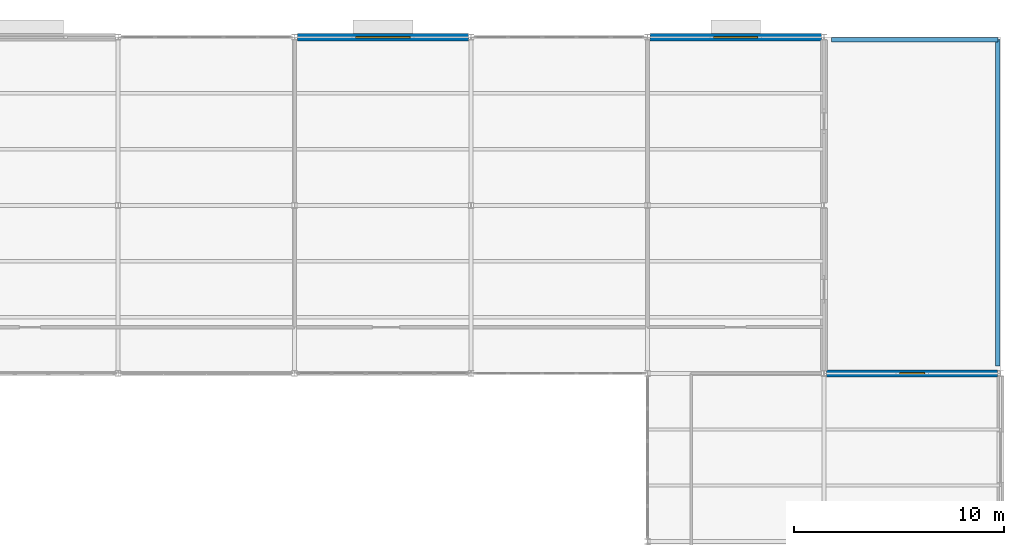
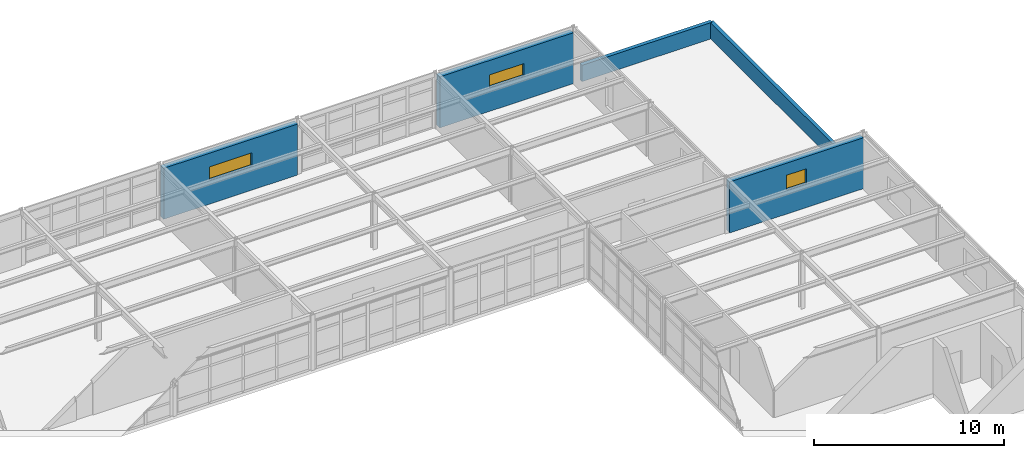
# One storey, part 47 of 53: 5 walls, 3 windows, 3 openings.
"""IFC4 building model written with IfcOpenShell, lengths in metres."""

from ifc_helpers import new_model, si_unit, direction, frame, frame_2d, origin, place, context, subcontext, project, spatial, rectangle, extrude, material, layer, layer_set, type_object, element, fill, save


model = new_model("IFC4")

# Units and contexts
model_context = context("Model", 3, precision=1e-05, world=origin(), true_north=direction((0.0, 1.0)))
body_context = subcontext(model_context, "Body", "Model", "MODEL_VIEW")
ifc_project = project(units=[si_unit("LENGTHUNIT", "METRE"), si_unit("AREAUNIT", "SQUARE_METRE"), si_unit("VOLUMEUNIT", "CUBIC_METRE"), si_unit("PLANEANGLEUNIT", "RADIAN"), si_unit("MASSUNIT", "GRAM", prefix="KILO")], contexts=[model_context])

# Site, building, storey
site_placement = place(None, origin())
site = spatial("IfcSite", under=ifc_project, at=site_placement, CompositionType="ELEMENT")
building_placement = place(site_placement, origin())
building = spatial("IfcBuilding", under=site, at=building_placement, Name="Kranzveld Transit Interchange", CompositionType="ELEMENT")
storey_placement = place(building_placement, frame((0.0, 0.0, 13.360107421875)))
storey = spatial("IfcBuildingStorey", under=building, at=storey_placement, Name="L03", CompositionType="ELEMENT", Elevation=13.360107421875)

# Wall, opening, window
ifc_material_1 = material(Name="Pretoria red-purple clinker clay face brick, 35 MPa", Category="masonry")
ifc_layer_1 = layer(ifc_material_1, 0.340087890625)
ifc_layer_set_1 = layer_set([ifc_layer_1], Name="Pretoria red-purple clinker clay face brick, 35 MPa")
wall_type_1 = type_object("IfcWallType", Name="Exterior Cavity Wall Red Clinker 340", PredefinedType="SOLIDWALL", material=ifc_layer_set_1)
wall_1_placement = place(storey_placement, frame((134.528076171875, 112.0, 0.0), z_axis=(0.0, 0.0, 1.0), x_axis=(1.0, 0.0, 0.0)))
wall_1 = element("IfcWall", 1, at=wall_1_placement, inside=storey, type_object=wall_type_1, Name="L03 Clinker Facade Wall 17/Q-18/Q", PredefinedType="SOLIDWALL", context=body_context, shape_type="SweptSolid", body=[
    extrude(rectangle(XDim=8.143798828125, YDim=0.340087890625, at=frame_2d((4.07177734375, 0.0))), origin(), (0.0, 0.0, 1.0), 3.27978515625),
])
opening_1_placement = place(wall_1_placement, frame((2.77197265625, 0.0, 1.550048828125), z_axis=(0.0, 0.0, 1.0), x_axis=(1.0, 0.0, 0.0)))
opening_1 = element("IfcOpeningElement", 2, at=opening_1_placement, cuts=wall_1, Name="Opening W-15", PredefinedType="OPENING", context=body_context, shape_type="SweptSolid", body=[
    extrude(rectangle(XDim=2.60009765625, YDim=0.85009765625, at=frame_2d((1.300048828125, 0.425048828125))), frame((0.0, 0.179931640625, 0.0), z_axis=(0.0, -1.0, 0.0), x_axis=(1.0, 0.0, 0.0)), (0.0, 0.0, 1.0), 0.360107421875),
])
ifc_material_2 = material(Name="Solar-control double glazing", Category="glass")
window_type_1 = type_object("IfcWindowType", Name="Window Clerestory 2600x850", PartitioningType="DOUBLE_PANEL_HORIZONTAL", PredefinedType="WINDOW", material=ifc_material_2)
window_1_placement = place(opening_1_placement, origin())
window_1 = element("IfcWindow", 3, at=window_1_placement, inside=storey, type_object=window_type_1, Name="L03 Facade Window 17/Q", OverallHeight=0.85009765625, OverallWidth=2.60009765625, PartitioningType="DOUBLE_PANEL_HORIZONTAL", PredefinedType="WINDOW", context=body_context, shape_type="SweptSolid", body=[
    extrude(rectangle(XDim=2.60009765625, YDim=0.85009765625, at=frame_2d((1.300048828125, 0.425048828125))), frame((0.0, 0.030029296875, 0.0), z_axis=(0.0, -1.0, 0.0), x_axis=(1.0, 0.0, 0.0)), (0.0, 0.0, 1.0), 0.06005859375),
])
fill(opening_1, window_1)

wall_2_placement = place(storey_placement, frame((151.328125, 112.0, 0.0), z_axis=(0.0, 0.0, 1.0), x_axis=(1.0, 0.0, 0.0)))
wall_2 = element("IfcWall", 4, at=wall_2_placement, inside=storey, type_object=wall_type_1, Name="L03 Clinker Facade Wall 19/Q-20/Q", PredefinedType="SOLIDWALL", context=body_context, shape_type="SweptSolid", body=[
    extrude(rectangle(XDim=8.143798828125, YDim=0.340087890625, at=frame_2d((4.07177734375, 0.0))), origin(), (0.0, 0.0, 1.0), 3.27978515625),
])
opening_2_placement = place(wall_2_placement, frame((3.02197265625, 0.0, 1.550048828125), z_axis=(0.0, 0.0, 1.0), x_axis=(1.0, 0.0, 0.0)))
opening_2 = element("IfcOpeningElement", 5, at=opening_2_placement, cuts=wall_2, Name="Opening W-16", PredefinedType="OPENING", context=body_context, shape_type="SweptSolid", body=[
    extrude(rectangle(XDim=2.10009765625, YDim=0.800048828125, at=frame_2d((1.050048828125, 0.39990234375))), frame((0.0, 0.179931640625, 0.0), z_axis=(0.0, -1.0, 0.0), x_axis=(1.0, 0.0, 0.0)), (0.0, 0.0, 1.0), 0.360107421875),
])
ifc_material_3 = material(Name="Solar-control double glazing", Category="glass")
window_type_2 = type_object("IfcWindowType", Name="Window Clerestory 2100x800", PartitioningType="DOUBLE_PANEL_HORIZONTAL", PredefinedType="WINDOW", material=ifc_material_3)
window_2_placement = place(opening_2_placement, origin())
window_2 = element("IfcWindow", 6, at=window_2_placement, inside=storey, type_object=window_type_2, Name="L03 Facade Window 19/Q", OverallHeight=0.800048828125, OverallWidth=2.10009765625, PartitioningType="DOUBLE_PANEL_HORIZONTAL", PredefinedType="WINDOW", context=body_context, shape_type="SweptSolid", body=[
    extrude(rectangle(XDim=2.10009765625, YDim=0.800048828125, at=frame_2d((1.050048828125, 0.39990234375))), frame((0.0, 0.030029296875, 0.0), z_axis=(0.0, -1.0, 0.0), x_axis=(1.0, 0.0, 0.0)), (0.0, 0.0, 1.0), 0.06005859375),
])
fill(opening_2, window_2)

wall_3_placement = place(storey_placement, frame((159.72802734375, 96.0, 0.0), z_axis=(0.0, 0.0, 1.0), x_axis=(1.0, 0.0, 0.0)))
wall_3 = element("IfcWall", 7, at=wall_3_placement, inside=storey, type_object=wall_type_1, Name="L03 Clinker Facade Wall 20/N-21/N", PredefinedType="SOLIDWALL", context=body_context, shape_type="SweptSolid", body=[
    extrude(rectangle(XDim=8.143798828125, YDim=0.340087890625, at=frame_2d((4.07177734375, 0.0))), origin(), (0.0, 0.0, 1.0), 3.27978515625),
])
opening_3_placement = place(wall_3_placement, frame((3.471923828125, 0.0, 1.550048828125), z_axis=(0.0, 0.0, 1.0), x_axis=(1.0, 0.0, 0.0)))
opening_3 = element("IfcOpeningElement", 8, at=opening_3_placement, cuts=wall_3, Name="Opening W-19", PredefinedType="OPENING", context=body_context, shape_type="SweptSolid", body=[
    extrude(rectangle(XDim=1.199951171875, YDim=0.949951171875, at=frame_2d((0.60009765625, 0.47509765625))), frame((0.0, 0.179931640625, 0.0), z_axis=(0.0, -1.0, 0.0), x_axis=(1.0, 0.0, 0.0)), (0.0, 0.0, 1.0), 0.360107421875),
])
ifc_material_4 = material(Name="Solar-control double glazing", Category="glass")
window_type_3 = type_object("IfcWindowType", Name="Window Sanitary Frosted 1200x950", PartitioningType="SINGLE_PANEL", PredefinedType="WINDOW", material=ifc_material_4)
window_3_placement = place(opening_3_placement, origin())
window_3 = element("IfcWindow", 9, at=window_3_placement, inside=storey, type_object=window_type_3, Name="L03 Facade Window 20/N", OverallHeight=0.949951171875, OverallWidth=1.199951171875, PartitioningType="SINGLE_PANEL", PredefinedType="WINDOW", context=body_context, shape_type="SweptSolid", body=[
    extrude(rectangle(XDim=1.199951171875, YDim=0.949951171875, at=frame_2d((0.60009765625, 0.47509765625))), frame((0.0, 0.030029296875, 0.0), z_axis=(0.0, -1.0, 0.0), x_axis=(1.0, 0.0, 0.0)), (0.0, 0.0, 1.0), 0.06005859375),
])
fill(opening_3, window_3)

# Walls
ifc_material_5 = material(Name="Pretoria red-purple clinker clay face brick, 35 MPa", Category="masonry")
ifc_layer_2 = layer(ifc_material_5, 0.22998046875)
ifc_layer_set_2 = layer_set([ifc_layer_2], Name="Pretoria red-purple clinker clay face brick, 35 MPa")
wall_type_2 = type_object("IfcWallType", Name="Roof Parapet Wall Clinker Brick 230", PredefinedType="PARAPET", material=ifc_layer_set_2)
wall_4_placement = place(storey_placement, frame((159.949951171875, 111.8798828125, 0.0), z_axis=(0.0, 0.0, 1.0), x_axis=(1.0, 0.0, 0.0)))
element("IfcWall", 10, at=wall_4_placement, inside=storey, type_object=wall_type_2, Name="L03 Roof Parapet 026", PredefinedType="PARAPET", context=body_context, shape_type="SweptSolid", body=[
    extrude(rectangle(XDim=7.929931640625, YDim=0.22998046875, at=frame_2d((3.96484375, 0.0))), origin(), (0.0, 0.0, 1.0), 1.0498046875),
])
ifc_material_6 = material(Name="Dark Pretoria clinker clay plinth brick, 40 MPa", Category="masonry")
ifc_layer_3 = layer(ifc_material_6, 0.215087890625)
ifc_layer_set_3 = layer_set([ifc_layer_3], Name="Dark Pretoria clinker clay plinth brick, 40 MPa")
wall_type_3 = type_object("IfcWallType", Name="Terrace Parapet Upstand Brick 215", PredefinedType="PARAPET", material=ifc_layer_set_3)
wall_5_placement = place(storey_placement, frame((167.8798828125, 111.8798828125, 0.0), z_axis=(0.0, 0.0, 1.0), x_axis=(0.0, -1.0, 0.0)))
element("IfcWall", 11, at=wall_5_placement, inside=storey, type_object=wall_type_3, Name="L03 Roof Parapet 027", PredefinedType="PARAPET", context=body_context, shape_type="SweptSolid", body=[
    extrude(rectangle(XDim=15.52978515625, YDim=0.215087890625, at=frame_2d((7.764892578125, 0.0))), origin(), (0.0, 0.0, 1.0), 1.0498046875),
])

save(model, "model.ifc")
